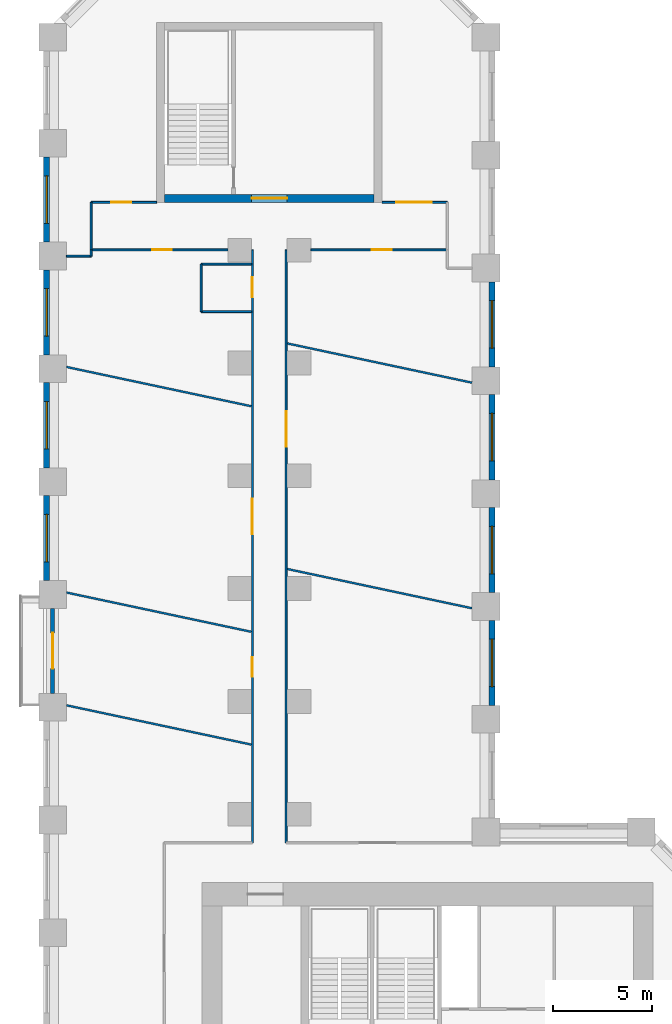
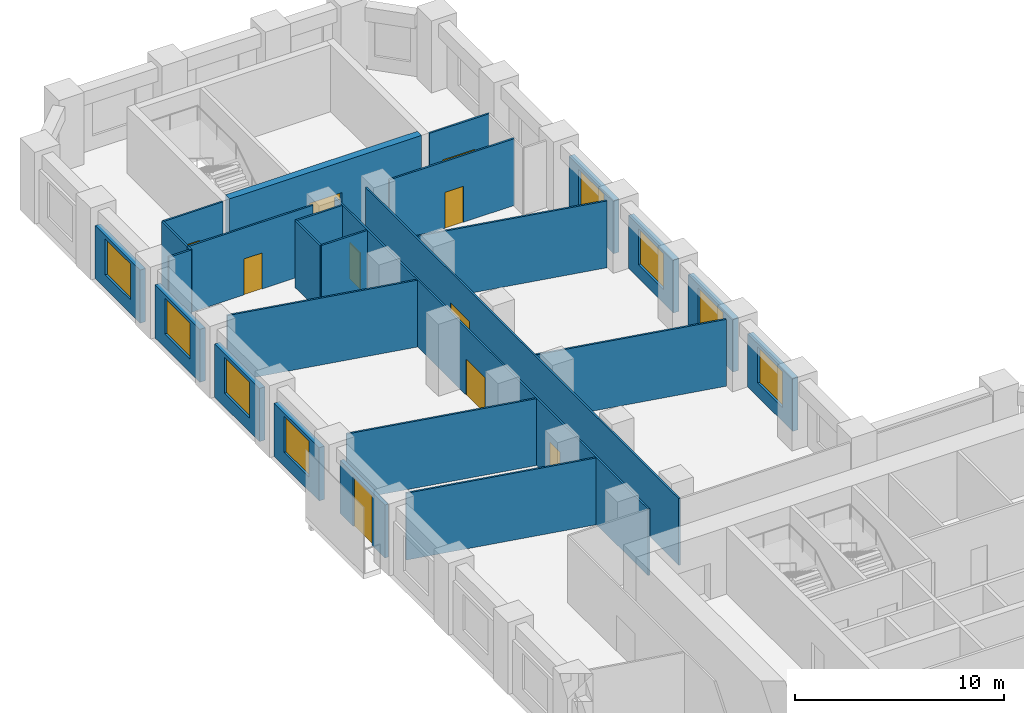
# One storey, part 8 of 11: 27 walls, 10 doors, 8 windows, 18 openings.
"""IFC4 building model written with IfcOpenShell, lengths in metres."""

from ifc_helpers import new_model, si_unit, direction, frame, frame_2d, origin, place, context, subcontext, project, spatial, rectangle, extrude, material, layer, layer_set, type_object, element, fill, save


model = new_model("IFC4")

# Units and contexts
model_context = context("Model", 3, precision=1e-05, world=origin(), true_north=direction((0.0, 1.0)))
body_context = subcontext(model_context, "Body", "Model", "MODEL_VIEW")
ifc_project = project(units=[si_unit("LENGTHUNIT", "METRE"), si_unit("AREAUNIT", "SQUARE_METRE"), si_unit("VOLUMEUNIT", "CUBIC_METRE"), si_unit("PLANEANGLEUNIT", "RADIAN"), si_unit("MASSUNIT", "GRAM", prefix="KILO")], contexts=[model_context])

# Site, building, storey
site_placement = place(None, origin())
site = spatial("IfcSite", under=ifc_project, at=site_placement, CompositionType="ELEMENT")
building_placement = place(site_placement, origin())
building = spatial("IfcBuilding", under=site, at=building_placement, Name="Meshkara Civic Tower", CompositionType="ELEMENT")
storey_placement = place(building_placement, frame((0.0, 0.0, 41.39990234375)))
storey = spatial("IfcBuildingStorey", under=building, at=storey_placement, Name="L08", CompositionType="ELEMENT", Elevation=41.39990234375)

# Wall, opening, door
ifc_material_1 = material(Name="Corridor wall 100")
ifc_layer_1 = layer(ifc_material_1, 0.10009765625)
ifc_layer_set_1 = layer_set([ifc_layer_1], Name="Corridor wall 100")
wall_type_1 = type_object("IfcWallType", Name="Corridor wall 100", PredefinedType="PARTITIONING", material=ifc_layer_set_1)
wall_1_placement = place(storey_placement, frame((2.39990234375, 68.8701171875, 0.0), z_axis=(0.0, 0.0, 1.0), x_axis=(1.0, 0.0, 0.0)))
wall_1 = element("IfcWall", 1, at=wall_1_placement, inside=storey, type_object=wall_type_1, Name="L08-W001", PredefinedType="PARTITIONING", context=body_context, shape_type="SweptSolid", body=[
    extrude(rectangle(XDim=6.900146484375, YDim=0.10009765625, at=frame_2d((3.4501953125, 0.0))), origin(), (0.0, 0.0, 1.0), 3.900146484375),
])
opening_1_placement = place(wall_1_placement, frame((3.080078125, 0.0, 0.0)))
opening_1 = element("IfcOpeningElement", 2, at=opening_1_placement, cuts=wall_1, Name="Opening L08-D024", PredefinedType="OPENING", context=body_context, shape_type="SweptSolid", body=[
    extrude(rectangle(XDim=1.0, YDim=2.10009765625, at=frame_2d((0.5, 1.050048828125))), frame((0.0, 0.06005859375, 0.0), z_axis=(0.0, -1.0, 0.0), x_axis=(1.0, 0.0, 0.0)), (0.0, 0.0, 1.0), 0.1201171875),
])
ifc_material_2 = material(Name="Door 1000 x 2100")
door_type_1 = type_object("IfcDoorType", Name="Door 1000 x 2100", OperationType="SINGLE_SWING_LEFT", PredefinedType="DOOR", material=ifc_material_2)
door_1_placement = place(opening_1_placement, origin())
door_1 = element("IfcDoor", 3, at=door_1_placement, inside=storey, type_object=door_type_1, Name="L08-D024", OperationType="SINGLE_SWING_LEFT", OverallHeight=2.10009765625, OverallWidth=1.0, PredefinedType="DOOR", context=body_context, shape_type="SweptSolid", body=[
    extrude(rectangle(XDim=1.0, YDim=2.10009765625, at=frame_2d((0.5, 1.050048828125))), frame((0.0, 0.02490234375, 0.0), z_axis=(0.0, -1.0, 0.0), x_axis=(1.0, 0.0, 0.0)), (0.0, 0.0, 1.0), 0.050048828125),
])
fill(opening_1, door_1)

# Wall
wall_2_placement = place(storey_placement, frame((2.39990234375, 71.27001953125, 0.0), z_axis=(0.0, 0.0, 1.0), x_axis=(0.0, -1.0, 0.0)))
element("IfcWall", 4, at=wall_2_placement, inside=storey, type_object=wall_type_1, Name="L08-W002", PredefinedType="PARTITIONING", context=body_context, shape_type="SweptSolid", body=[
    extrude(rectangle(XDim=2.39990234375, YDim=0.10009765625, at=frame_2d((1.199951171875, 0.0))), origin(), (0.0, 0.0, 1.0), 3.900146484375),
])

# Wall, opening, door
wall_3_placement = place(storey_placement, frame((5.699951171875, 71.27001953125, 0.0), z_axis=(0.0, 0.0, 1.0), x_axis=(-1.0, 0.0, 0.0)))
wall_3 = element("IfcWall", 5, at=wall_3_placement, inside=storey, type_object=wall_type_1, Name="L08-W003", PredefinedType="PARTITIONING", context=body_context, shape_type="SweptSolid", body=[
    extrude(rectangle(XDim=3.300048828125, YDim=0.10009765625, at=frame_2d((1.64990234375, 0.0))), origin(), (0.0, 0.0, 1.0), 3.900146484375),
])
opening_2_placement = place(wall_3_placement, frame((1.280029296875, 0.0, 0.0)))
opening_2 = element("IfcOpeningElement", 6, at=opening_2_placement, cuts=wall_3, Name="Opening L08-D023", PredefinedType="OPENING", context=body_context, shape_type="SweptSolid", body=[
    extrude(rectangle(XDim=1.0, YDim=2.10009765625, at=frame_2d((0.5, 1.050048828125))), frame((0.0, 0.06005859375, 0.0), z_axis=(0.0, -1.0, 0.0), x_axis=(1.0, 0.0, 0.0)), (0.0, 0.0, 1.0), 0.1201171875),
])
door_2_placement = place(opening_2_placement, origin())
door_2 = element("IfcDoor", 7, at=door_2_placement, inside=storey, type_object=door_type_1, Name="L08-D023", OperationType="SINGLE_SWING_LEFT", OverallHeight=2.10009765625, OverallWidth=1.0, PredefinedType="DOOR", context=body_context, shape_type="SweptSolid", body=[
    extrude(rectangle(XDim=1.0, YDim=2.10009765625, at=frame_2d((0.5, 1.050048828125))), frame((0.0, 0.02490234375, 0.0), z_axis=(0.0, -1.0, 0.0), x_axis=(1.0, 0.0, 0.0)), (0.0, 0.0, 1.0), 0.050048828125),
])
fill(opening_2, door_2)

# Wall, openings, doors
wall_4_placement = place(storey_placement, frame((10.550048828125, 68.8701171875, 0.0), z_axis=(0.0, 0.0, 1.0), x_axis=(0.0, -1.0, 0.0)))
wall_4 = element("IfcWall", 8, at=wall_4_placement, inside=storey, type_object=wall_type_1, Name="L08-W012", PredefinedType="PARTITIONING", context=body_context, shape_type="SweptSolid", body=[
    extrude(rectangle(XDim=29.97021484375, YDim=0.10009765625, at=frame_2d((14.985107421875, 0.0))), origin(), (0.0, 0.0, 1.0), 3.900146484375),
])
opening_3_placement = place(wall_4_placement, frame((20.583984375, 0.0, 0.0)))
opening_3 = element("IfcOpeningElement", 9, at=opening_3_placement, cuts=wall_4, Name="Opening L08-D020", PredefinedType="OPENING", context=body_context, shape_type="SweptSolid", body=[
    extrude(rectangle(XDim=1.0, YDim=2.10009765625, at=frame_2d((0.5, 1.050048828125))), frame((0.0, 0.06005859375, 0.0), z_axis=(0.0, -1.0, 0.0), x_axis=(1.0, 0.0, 0.0)), (0.0, 0.0, 1.0), 0.1201171875),
])
opening_4_placement = place(wall_4_placement, frame((12.583984375, 0.0, 0.0)))
opening_4 = element("IfcOpeningElement", 10, at=opening_4_placement, cuts=wall_4, Name="Opening L08-D021", PredefinedType="OPENING", context=body_context, shape_type="SweptSolid", body=[
    extrude(rectangle(XDim=1.800048828125, YDim=2.10009765625, at=frame_2d((0.89990234375, 1.050048828125))), frame((0.0, 0.06005859375, 0.0), z_axis=(0.0, -1.0, 0.0), x_axis=(1.0, 0.0, 0.0)), (0.0, 0.0, 1.0), 0.1201171875),
])
opening_5_placement = place(wall_4_placement, frame((1.39697265625, 0.0, 0.0)))
opening_5 = element("IfcOpeningElement", 11, at=opening_5_placement, cuts=wall_4, Name="Opening L08-D025", PredefinedType="OPENING", context=body_context, shape_type="SweptSolid", body=[
    extrude(rectangle(XDim=1.0, YDim=2.10009765625, at=frame_2d((0.5, 1.050048828125))), frame((0.0, 0.06005859375, 0.0), z_axis=(0.0, -1.0, 0.0), x_axis=(1.0, 0.0, 0.0)), (0.0, 0.0, 1.0), 0.1201171875),
])
door_3_placement = place(opening_3_placement, origin())
door_3 = element("IfcDoor", 12, at=door_3_placement, inside=storey, type_object=door_type_1, Name="L08-D020", OperationType="SINGLE_SWING_RIGHT", OverallHeight=2.10009765625, OverallWidth=1.0, PredefinedType="DOOR", context=body_context, shape_type="SweptSolid", body=[
    extrude(rectangle(XDim=1.0, YDim=2.10009765625, at=frame_2d((0.5, 1.050048828125))), frame((0.0, 0.02490234375, 0.0), z_axis=(0.0, -1.0, 0.0), x_axis=(1.0, 0.0, 0.0)), (0.0, 0.0, 1.0), 0.050048828125),
])
fill(opening_3, door_3)
door_4_placement = place(opening_5_placement, origin())
door_4 = element("IfcDoor", 13, at=door_4_placement, inside=storey, type_object=door_type_1, Name="L08-D025", OperationType="SINGLE_SWING_RIGHT", OverallHeight=2.10009765625, OverallWidth=1.0, PredefinedType="DOOR", context=body_context, shape_type="SweptSolid", body=[
    extrude(rectangle(XDim=1.0, YDim=2.10009765625, at=frame_2d((0.5, 1.050048828125))), frame((0.0, 0.02490234375, 0.0), z_axis=(0.0, -1.0, 0.0), x_axis=(1.0, 0.0, 0.0)), (0.0, 0.0, 1.0), 0.050048828125),
])
fill(opening_5, door_4)
ifc_material_3 = material(Name="Door pair 1800 x 2100")
door_type_2 = type_object("IfcDoorType", Name="Door pair 1800 x 2100", OperationType="SINGLE_SWING_LEFT", PredefinedType="DOOR", material=ifc_material_3)
door_5_placement = place(opening_4_placement, origin())
door_5 = element("IfcDoor", 14, at=door_5_placement, inside=storey, type_object=door_type_2, Name="L08-D021", OperationType="DOUBLE_DOOR_SINGLE_SWING", OverallHeight=2.10009765625, OverallWidth=1.800048828125, PredefinedType="DOOR", context=body_context, shape_type="SweptSolid", body=[
    extrude(rectangle(XDim=1.800048828125, YDim=2.10009765625, at=frame_2d((0.89990234375, 1.050048828125))), frame((0.0, 0.02490234375, 0.0), z_axis=(0.0, -1.0, 0.0), x_axis=(1.0, 0.0, 0.0)), (0.0, 0.0, 1.0), 0.050048828125),
])
fill(opening_4, door_5)

# Wall, opening, door
wall_5_placement = place(storey_placement, frame((12.25, 38.89990234375, 0.0), z_axis=(0.0, 0.0, 1.0), x_axis=(0.0, 1.0, 0.0)))
wall_5 = element("IfcWall", 15, at=wall_5_placement, inside=storey, type_object=wall_type_1, Name="L08-W013", PredefinedType="PARTITIONING", context=body_context, shape_type="SweptSolid", body=[
    extrude(rectangle(XDim=29.97021484375, YDim=0.10009765625, at=frame_2d((14.985107421875, 0.0))), origin(), (0.0, 0.0, 1.0), 3.900146484375),
])
opening_6_placement = place(wall_5_placement, frame((20.02001953125, 0.0, 0.0)))
opening_6 = element("IfcOpeningElement", 16, at=opening_6_placement, cuts=wall_5, Name="Opening L08-D022", PredefinedType="OPENING", context=body_context, shape_type="SweptSolid", body=[
    extrude(rectangle(XDim=1.800048828125, YDim=2.10009765625, at=frame_2d((0.89990234375, 1.050048828125))), frame((0.0, 0.06005859375, 0.0), z_axis=(0.0, -1.0, 0.0), x_axis=(1.0, 0.0, 0.0)), (0.0, 0.0, 1.0), 0.1201171875),
])
door_6_placement = place(opening_6_placement, origin())
door_6 = element("IfcDoor", 17, at=door_6_placement, inside=storey, type_object=door_type_2, Name="L08-D022", OperationType="DOUBLE_DOOR_SINGLE_SWING", OverallHeight=2.10009765625, OverallWidth=1.800048828125, PredefinedType="DOOR", context=body_context, shape_type="SweptSolid", body=[
    extrude(rectangle(XDim=1.800048828125, YDim=2.10009765625, at=frame_2d((0.89990234375, 1.050048828125))), frame((0.0, 0.02490234375, 0.0), z_axis=(0.0, -1.0, 0.0), x_axis=(1.0, 0.0, 0.0)), (0.0, 0.0, 1.0), 0.050048828125),
])
fill(opening_6, door_6)

wall_6_placement = place(storey_placement, frame((13.5, 68.8701171875, 0.0), z_axis=(0.0, 0.0, 1.0), x_axis=(1.0, 0.0, 0.0)))
wall_6 = element("IfcWall", 18, at=wall_6_placement, inside=storey, type_object=wall_type_1, Name="L08-W015", PredefinedType="PARTITIONING", context=body_context, shape_type="SweptSolid", body=[
    extrude(rectangle(XDim=6.89990234375, YDim=0.10009765625, at=frame_2d((3.449951171875, 0.0))), origin(), (0.0, 0.0, 1.0), 3.900146484375),
])
opening_7_placement = place(wall_6_placement, frame((3.080078125, 0.0, 0.0)))
opening_7 = element("IfcOpeningElement", 19, at=opening_7_placement, cuts=wall_6, Name="Opening L08-D026", PredefinedType="OPENING", context=body_context, shape_type="SweptSolid", body=[
    extrude(rectangle(XDim=1.0, YDim=2.10009765625, at=frame_2d((0.5, 1.050048828125))), frame((0.0, 0.06005859375, 0.0), z_axis=(0.0, -1.0, 0.0), x_axis=(1.0, 0.0, 0.0)), (0.0, 0.0, 1.0), 0.1201171875),
])
door_7_placement = place(opening_7_placement, origin())
door_7 = element("IfcDoor", 20, at=door_7_placement, inside=storey, type_object=door_type_1, Name="L08-D026", OperationType="SINGLE_SWING_LEFT", OverallHeight=2.10009765625, OverallWidth=1.0, PredefinedType="DOOR", context=body_context, shape_type="SweptSolid", body=[
    extrude(rectangle(XDim=1.0, YDim=2.10009765625, at=frame_2d((0.5, 1.050048828125))), frame((0.0, 0.02490234375, 0.0), z_axis=(0.0, -1.0, 0.0), x_axis=(1.0, 0.0, 0.0)), (0.0, 0.0, 1.0), 0.050048828125),
])
fill(opening_7, door_7)

wall_7_placement = place(storey_placement, frame((20.39990234375, 71.27001953125, 0.0), z_axis=(0.0, 0.0, 1.0), x_axis=(-1.0, 0.0, 0.0)))
wall_7 = element("IfcWall", 21, at=wall_7_placement, inside=storey, type_object=wall_type_1, Name="L08-W017", PredefinedType="PARTITIONING", context=body_context, shape_type="SweptSolid", body=[
    extrude(rectangle(XDim=3.2998046875, YDim=0.10009765625, at=frame_2d((1.64990234375, 0.0))), origin(), (0.0, 0.0, 1.0), 3.900146484375),
])
opening_8_placement = place(wall_7_placement, frame((0.780029296875, 0.0, 0.0)))
opening_8 = element("IfcOpeningElement", 22, at=opening_8_placement, cuts=wall_7, Name="Opening L08-D027", PredefinedType="OPENING", context=body_context, shape_type="SweptSolid", body=[
    extrude(rectangle(XDim=1.800048828125, YDim=2.10009765625, at=frame_2d((0.89990234375, 1.050048828125))), frame((0.0, 0.06005859375, 0.0), z_axis=(0.0, -1.0, 0.0), x_axis=(1.0, 0.0, 0.0)), (0.0, 0.0, 1.0), 0.1201171875),
])
door_8_placement = place(opening_8_placement, origin())
door_8 = element("IfcDoor", 23, at=door_8_placement, inside=storey, type_object=door_type_2, Name="L08-D027", OperationType="DOUBLE_DOOR_SINGLE_SWING", OverallHeight=2.10009765625, OverallWidth=1.800048828125, PredefinedType="DOOR", context=body_context, shape_type="SweptSolid", body=[
    extrude(rectangle(XDim=1.800048828125, YDim=2.10009765625, at=frame_2d((0.89990234375, 1.050048828125))), frame((0.0, 0.02490234375, 0.0), z_axis=(0.0, -1.0, 0.0), x_axis=(1.0, 0.0, 0.0)), (0.0, 0.0, 1.0), 0.050048828125),
])
fill(opening_8, door_8)

# Wall, opening, window
ifc_material_4 = material(Name="Insulated infill panel with bronze anodised aluminium cladding", Category="aluminium")
ifc_layer_2 = layer(ifc_material_4, 0.300048828125)
ifc_layer_set_2 = layer_set([ifc_layer_2], Name="EXTERNAL INFILL WALL 300")
wall_type_2 = type_object("IfcWallType", Name="EXTERNAL INFILL WALL 300", PredefinedType="SOLIDWALL", material=ifc_layer_set_2)
wall_8_placement = place(storey_placement, frame((22.64990234375, 45.85009765625, 0.0), z_axis=(0.0, 0.0, 1.0), x_axis=(0.0, 1.0, 0.0)))
wall_8 = element("IfcWall", 24, at=wall_8_placement, inside=storey, type_object=wall_type_2, Name="External wall", PredefinedType="SOLIDWALL", context=body_context, shape_type="SweptSolid", body=[
    extrude(rectangle(XDim=4.2998046875, YDim=0.300048828125, at=frame_2d((2.14990234375, 0.0))), origin(), (0.0, 0.0, 1.0), 3.10009765625),
])
opening_9_placement = place(wall_8_placement, frame((0.949951171875, 0.0, 0.800048828125)))
opening_9 = element("IfcOpeningElement", 25, at=opening_9_placement, cuts=wall_8, Name="Opening W7", PredefinedType="OPENING", context=body_context, shape_type="SweptSolid", body=[
    extrude(rectangle(XDim=2.39990234375, YDim=2.10009765625, at=frame_2d((1.199951171875, 1.050048828125))), frame((0.0, 0.159912109375, 0.0), z_axis=(0.0, -1.0, 0.0), x_axis=(1.0, 0.0, 0.0)), (0.0, 0.0, 1.0), 0.320068359375),
])
ifc_material_5 = material(Name="Tinted double glazing", Category="glass")
window_type = type_object("IfcWindowType", Name="WINDOW 2400x2100", PartitioningType="DOUBLE_PANEL_VERTICAL", PredefinedType="WINDOW", material=ifc_material_5)
window_1_placement = place(opening_9_placement, origin())
window_1 = element("IfcWindow", 26, at=window_1_placement, inside=storey, type_object=window_type, Name="Window", OverallHeight=2.10009765625, OverallWidth=2.39990234375, PartitioningType="DOUBLE_PANEL_VERTICAL", PredefinedType="WINDOW", context=body_context, shape_type="SweptSolid", body=[
    extrude(rectangle(XDim=2.39990234375, YDim=2.10009765625, at=frame_2d((1.199951171875, 1.050048828125))), frame((0.0, 0.030029296875, 0.0), z_axis=(0.0, -1.0, 0.0), x_axis=(1.0, 0.0, 0.0)), (0.0, 0.0, 1.0), 0.06005859375),
])
fill(opening_9, window_1)

wall_9_placement = place(storey_placement, frame((22.64990234375, 51.550048828125, 0.0), z_axis=(0.0, 0.0, 1.0), x_axis=(0.0, 1.0, 0.0)))
wall_9 = element("IfcWall", 27, at=wall_9_placement, inside=storey, type_object=wall_type_2, Name="External wall", PredefinedType="SOLIDWALL", context=body_context, shape_type="SweptSolid", body=[
    extrude(rectangle(XDim=4.300048828125, YDim=0.300048828125, at=frame_2d((2.14990234375, 0.0))), origin(), (0.0, 0.0, 1.0), 3.10009765625),
])
opening_10_placement = place(wall_9_placement, frame((0.949951171875, 0.0, 0.800048828125)))
opening_10 = element("IfcOpeningElement", 28, at=opening_10_placement, cuts=wall_9, Name="Opening W7", PredefinedType="OPENING", context=body_context, shape_type="SweptSolid", body=[
    extrude(rectangle(XDim=2.39990234375, YDim=2.10009765625, at=frame_2d((1.199951171875, 1.050048828125))), frame((0.0, 0.159912109375, 0.0), z_axis=(0.0, -1.0, 0.0), x_axis=(1.0, 0.0, 0.0)), (0.0, 0.0, 1.0), 0.320068359375),
])
window_2_placement = place(opening_10_placement, origin())
window_2 = element("IfcWindow", 29, at=window_2_placement, inside=storey, type_object=window_type, Name="Window", OverallHeight=2.10009765625, OverallWidth=2.39990234375, PartitioningType="DOUBLE_PANEL_VERTICAL", PredefinedType="WINDOW", context=body_context, shape_type="SweptSolid", body=[
    extrude(rectangle(XDim=2.39990234375, YDim=2.10009765625, at=frame_2d((1.199951171875, 1.050048828125))), frame((0.0, 0.030029296875, 0.0), z_axis=(0.0, -1.0, 0.0), x_axis=(1.0, 0.0, 0.0)), (0.0, 0.0, 1.0), 0.06005859375),
])
fill(opening_10, window_2)

wall_10_placement = place(storey_placement, frame((22.64990234375, 57.25, 0.0), z_axis=(0.0, 0.0, 1.0), x_axis=(0.0, 1.0, 0.0)))
wall_10 = element("IfcWall", 30, at=wall_10_placement, inside=storey, type_object=wall_type_2, Name="External wall", PredefinedType="SOLIDWALL", context=body_context, shape_type="SweptSolid", body=[
    extrude(rectangle(XDim=4.300048828125, YDim=0.300048828125, at=frame_2d((2.14990234375, 0.0))), origin(), (0.0, 0.0, 1.0), 3.10009765625),
])
opening_11_placement = place(wall_10_placement, frame((0.949951171875, 0.0, 0.800048828125)))
opening_11 = element("IfcOpeningElement", 31, at=opening_11_placement, cuts=wall_10, Name="Opening W7", PredefinedType="OPENING", context=body_context, shape_type="SweptSolid", body=[
    extrude(rectangle(XDim=2.39990234375, YDim=2.10009765625, at=frame_2d((1.199951171875, 1.050048828125))), frame((0.0, 0.159912109375, 0.0), z_axis=(0.0, -1.0, 0.0), x_axis=(1.0, 0.0, 0.0)), (0.0, 0.0, 1.0), 0.320068359375),
])
window_3_placement = place(opening_11_placement, origin())
window_3 = element("IfcWindow", 32, at=window_3_placement, inside=storey, type_object=window_type, Name="Window", OverallHeight=2.10009765625, OverallWidth=2.39990234375, PartitioningType="DOUBLE_PANEL_VERTICAL", PredefinedType="WINDOW", context=body_context, shape_type="SweptSolid", body=[
    extrude(rectangle(XDim=2.39990234375, YDim=2.10009765625, at=frame_2d((1.199951171875, 1.050048828125))), frame((0.0, 0.030029296875, 0.0), z_axis=(0.0, -1.0, 0.0), x_axis=(1.0, 0.0, 0.0)), (0.0, 0.0, 1.0), 0.06005859375),
])
fill(opening_11, window_3)

wall_11_placement = place(storey_placement, frame((22.64990234375, 62.949951171875, 0.0), z_axis=(0.0, 0.0, 1.0), x_axis=(0.0, 1.0, 0.0)))
wall_11 = element("IfcWall", 33, at=wall_11_placement, inside=storey, type_object=wall_type_2, Name="External wall", PredefinedType="SOLIDWALL", context=body_context, shape_type="SweptSolid", body=[
    extrude(rectangle(XDim=4.300048828125, YDim=0.300048828125, at=frame_2d((2.14990234375, 0.0))), origin(), (0.0, 0.0, 1.0), 3.10009765625),
])
opening_12_placement = place(wall_11_placement, frame((0.949951171875, 0.0, 0.800048828125)))
opening_12 = element("IfcOpeningElement", 34, at=opening_12_placement, cuts=wall_11, Name="Opening W7", PredefinedType="OPENING", context=body_context, shape_type="SweptSolid", body=[
    extrude(rectangle(XDim=2.39990234375, YDim=2.10009765625, at=frame_2d((1.199951171875, 1.050048828125))), frame((0.0, 0.159912109375, 0.0), z_axis=(0.0, -1.0, 0.0), x_axis=(1.0, 0.0, 0.0)), (0.0, 0.0, 1.0), 0.320068359375),
])
window_4_placement = place(opening_12_placement, origin())
window_4 = element("IfcWindow", 35, at=window_4_placement, inside=storey, type_object=window_type, Name="Window", OverallHeight=2.10009765625, OverallWidth=2.39990234375, PartitioningType="DOUBLE_PANEL_VERTICAL", PredefinedType="WINDOW", context=body_context, shape_type="SweptSolid", body=[
    extrude(rectangle(XDim=2.39990234375, YDim=2.10009765625, at=frame_2d((1.199951171875, 1.050048828125))), frame((0.0, 0.030029296875, 0.0), z_axis=(0.0, -1.0, 0.0), x_axis=(1.0, 0.0, 0.0)), (0.0, 0.0, 1.0), 0.06005859375),
])
fill(opening_12, window_4)

wall_12_placement = place(storey_placement, frame((0.14990234375, 73.554931640625, 0.0), z_axis=(0.0, 0.0, 1.0), x_axis=(0.0, -1.0, 0.0)))
wall_12 = element("IfcWall", 36, at=wall_12_placement, inside=storey, type_object=wall_type_2, Name="External wall", PredefinedType="SOLIDWALL", context=body_context, shape_type="SweptSolid", body=[
    extrude(rectangle(XDim=4.300048828125, YDim=0.300048828125, at=frame_2d((2.14990234375, 0.0))), origin(), (0.0, 0.0, 1.0), 3.10009765625),
])
opening_13_placement = place(wall_12_placement, frame((0.949951171875, 0.0, 0.800048828125)))
opening_13 = element("IfcOpeningElement", 37, at=opening_13_placement, cuts=wall_12, Name="Opening W7", PredefinedType="OPENING", context=body_context, shape_type="SweptSolid", body=[
    extrude(rectangle(XDim=2.39990234375, YDim=2.10009765625, at=frame_2d((1.199951171875, 1.050048828125))), frame((0.0, 0.159912109375, 0.0), z_axis=(0.0, -1.0, 0.0), x_axis=(1.0, 0.0, 0.0)), (0.0, 0.0, 1.0), 0.320068359375),
])
window_5_placement = place(opening_13_placement, origin())
window_5 = element("IfcWindow", 38, at=window_5_placement, inside=storey, type_object=window_type, Name="Window", OverallHeight=2.10009765625, OverallWidth=2.39990234375, PartitioningType="DOUBLE_PANEL_VERTICAL", PredefinedType="WINDOW", context=body_context, shape_type="SweptSolid", body=[
    extrude(rectangle(XDim=2.39990234375, YDim=2.10009765625, at=frame_2d((1.199951171875, 1.050048828125))), frame((0.0, 0.030029296875, 0.0), z_axis=(0.0, -1.0, 0.0), x_axis=(1.0, 0.0, 0.0)), (0.0, 0.0, 1.0), 0.06005859375),
])
fill(opening_13, window_5)

wall_13_placement = place(storey_placement, frame((0.14990234375, 67.85498046875, 0.0), z_axis=(0.0, 0.0, 1.0), x_axis=(0.0, -1.0, 0.0)))
wall_13 = element("IfcWall", 39, at=wall_13_placement, inside=storey, type_object=wall_type_2, Name="External wall", PredefinedType="SOLIDWALL", context=body_context, shape_type="SweptSolid", body=[
    extrude(rectangle(XDim=4.300048828125, YDim=0.300048828125, at=frame_2d((2.14990234375, 0.0))), origin(), (0.0, 0.0, 1.0), 3.10009765625),
])
opening_14_placement = place(wall_13_placement, frame((0.949951171875, 0.0, 0.800048828125)))
opening_14 = element("IfcOpeningElement", 40, at=opening_14_placement, cuts=wall_13, Name="Opening W7", PredefinedType="OPENING", context=body_context, shape_type="SweptSolid", body=[
    extrude(rectangle(XDim=2.39990234375, YDim=2.10009765625, at=frame_2d((1.199951171875, 1.050048828125))), frame((0.0, 0.159912109375, 0.0), z_axis=(0.0, -1.0, 0.0), x_axis=(1.0, 0.0, 0.0)), (0.0, 0.0, 1.0), 0.320068359375),
])
window_6_placement = place(opening_14_placement, origin())
window_6 = element("IfcWindow", 41, at=window_6_placement, inside=storey, type_object=window_type, Name="Window", OverallHeight=2.10009765625, OverallWidth=2.39990234375, PartitioningType="DOUBLE_PANEL_VERTICAL", PredefinedType="WINDOW", context=body_context, shape_type="SweptSolid", body=[
    extrude(rectangle(XDim=2.39990234375, YDim=2.10009765625, at=frame_2d((1.199951171875, 1.050048828125))), frame((0.0, 0.030029296875, 0.0), z_axis=(0.0, -1.0, 0.0), x_axis=(1.0, 0.0, 0.0)), (0.0, 0.0, 1.0), 0.06005859375),
])
fill(opening_14, window_6)

wall_14_placement = place(storey_placement, frame((0.14990234375, 62.155029296875, 0.0), z_axis=(0.0, 0.0, 1.0), x_axis=(0.0, -1.0, 0.0)))
wall_14 = element("IfcWall", 42, at=wall_14_placement, inside=storey, type_object=wall_type_2, Name="External wall", PredefinedType="SOLIDWALL", context=body_context, shape_type="SweptSolid", body=[
    extrude(rectangle(XDim=4.300048828125, YDim=0.300048828125, at=frame_2d((2.14990234375, 0.0))), origin(), (0.0, 0.0, 1.0), 3.10009765625),
])
opening_15_placement = place(wall_14_placement, frame((0.949951171875, 0.0, 0.800048828125)))
opening_15 = element("IfcOpeningElement", 43, at=opening_15_placement, cuts=wall_14, Name="Opening W7", PredefinedType="OPENING", context=body_context, shape_type="SweptSolid", body=[
    extrude(rectangle(XDim=2.39990234375, YDim=2.10009765625, at=frame_2d((1.199951171875, 1.050048828125))), frame((0.0, 0.159912109375, 0.0), z_axis=(0.0, -1.0, 0.0), x_axis=(1.0, 0.0, 0.0)), (0.0, 0.0, 1.0), 0.320068359375),
])
window_7_placement = place(opening_15_placement, origin())
window_7 = element("IfcWindow", 44, at=window_7_placement, inside=storey, type_object=window_type, Name="Window", OverallHeight=2.10009765625, OverallWidth=2.39990234375, PartitioningType="DOUBLE_PANEL_VERTICAL", PredefinedType="WINDOW", context=body_context, shape_type="SweptSolid", body=[
    extrude(rectangle(XDim=2.39990234375, YDim=2.10009765625, at=frame_2d((1.199951171875, 1.050048828125))), frame((0.0, 0.030029296875, 0.0), z_axis=(0.0, -1.0, 0.0), x_axis=(1.0, 0.0, 0.0)), (0.0, 0.0, 1.0), 0.06005859375),
])
fill(opening_15, window_7)

wall_15_placement = place(storey_placement, frame((0.14990234375, 56.455078125, 0.0), z_axis=(0.0, 0.0, 1.0), x_axis=(0.0, -1.0, 0.0)))
wall_15 = element("IfcWall", 45, at=wall_15_placement, inside=storey, type_object=wall_type_2, Name="External wall", PredefinedType="SOLIDWALL", context=body_context, shape_type="SweptSolid", body=[
    extrude(rectangle(XDim=4.300048828125, YDim=0.300048828125, at=frame_2d((2.14990234375, 0.0))), origin(), (0.0, 0.0, 1.0), 3.10009765625),
])
opening_16_placement = place(wall_15_placement, frame((0.949951171875, 0.0, 0.800048828125)))
opening_16 = element("IfcOpeningElement", 46, at=opening_16_placement, cuts=wall_15, Name="Opening W7", PredefinedType="OPENING", context=body_context, shape_type="SweptSolid", body=[
    extrude(rectangle(XDim=2.39990234375, YDim=2.10009765625, at=frame_2d((1.199951171875, 1.050048828125))), frame((0.0, 0.159912109375, 0.0), z_axis=(0.0, -1.0, 0.0), x_axis=(1.0, 0.0, 0.0)), (0.0, 0.0, 1.0), 0.320068359375),
])
window_8_placement = place(opening_16_placement, origin())
window_8 = element("IfcWindow", 47, at=window_8_placement, inside=storey, type_object=window_type, Name="Window", OverallHeight=2.10009765625, OverallWidth=2.39990234375, PartitioningType="DOUBLE_PANEL_VERTICAL", PredefinedType="WINDOW", context=body_context, shape_type="SweptSolid", body=[
    extrude(rectangle(XDim=2.39990234375, YDim=2.10009765625, at=frame_2d((1.199951171875, 1.050048828125))), frame((0.0, 0.030029296875, 0.0), z_axis=(0.0, -1.0, 0.0), x_axis=(1.0, 0.0, 0.0)), (0.0, 0.0, 1.0), 0.06005859375),
])
fill(opening_16, window_8)

# Wall, opening, door
ifc_material_6 = material(Name="Concrete C80", Category="concrete")
ifc_layer_3 = layer(ifc_material_6, 0.39990234375)
ifc_layer_set_3 = layer_set([ifc_layer_3], Name="End core ring wall 400 C80")
wall_type_3 = type_object("IfcWallType", Name="End core ring wall 400 C80", PredefinedType="SHEAR", material=ifc_layer_set_3)
wall_16_placement = place(storey_placement, frame((6.10009765625, 71.469970703125, -0.2998046875), z_axis=(0.0, 0.0, 1.0), x_axis=(1.0, 0.0, 0.0)))
wall_16 = element("IfcWall", 48, at=wall_16_placement, inside=storey, type_object=wall_type_3, Name="L08-C028", PredefinedType="SHEAR", context=body_context, shape_type="SweptSolid", body=[
    extrude(rectangle(XDim=10.599853515625, YDim=0.39990234375, at=frame_2d((5.2998046875, 0.0))), origin(), (0.0, 0.0, 1.0), 4.199951171875),
])
opening_17_placement = place(wall_16_placement, frame((4.39990234375, 0.0, 0.300048828125)))
opening_17 = element("IfcOpeningElement", 49, at=opening_17_placement, cuts=wall_16, Name="Opening L08-K102", PredefinedType="OPENING", context=body_context, shape_type="SweptSolid", body=[
    extrude(rectangle(XDim=1.800048828125, YDim=2.10009765625, at=frame_2d((0.89990234375, 1.050048828125))), frame((0.0, 0.2099609375, 0.0), z_axis=(0.0, -1.0, 0.0), x_axis=(1.0, 0.0, 0.0)), (0.0, 0.0, 1.0), 0.419921875),
])
ifc_material_7 = material(Name="Fire-rated door leaf in steel frame", Category="steel")
door_type_3 = type_object("IfcDoorType", Name="Core double door 1800 EI 60", OperationType="DOUBLE_DOOR_SINGLE_SWING", PredefinedType="DOOR", material=ifc_material_7)
door_9_placement = place(opening_17_placement, origin())
door_9 = element("IfcDoor", 50, at=door_9_placement, inside=storey, type_object=door_type_3, Name="L08-K102", OperationType="DOUBLE_DOOR_SINGLE_SWING", OverallHeight=2.10009765625, OverallWidth=1.800048828125, PredefinedType="DOOR", context=body_context, shape_type="SweptSolid", body=[
    extrude(rectangle(XDim=1.800048828125, YDim=2.10009765625, at=frame_2d((0.89990234375, 1.050048828125))), frame((0.0, 0.02490234375, 0.0), z_axis=(0.0, -1.0, 0.0), x_axis=(1.0, 0.0, 0.0)), (0.0, 0.0, 1.0), 0.050048828125),
])
fill(opening_17, door_9)

ifc_material_8 = material(Name="Insulated infill panel with bronze anodised aluminium cladding", Category="aluminium")
ifc_layer_4 = layer(ifc_material_8, 0.199951171875)
ifc_layer_set_4 = layer_set([ifc_layer_4], Name="LOGGIA BACK WALL 200")
wall_type_4 = type_object("IfcWallType", Name="LOGGIA BACK WALL 200", PredefinedType="SOLIDWALL", material=ifc_layer_set_4)
wall_17_placement = place(storey_placement, frame((0.449951171875, 50.7548828125, 0.0), z_axis=(0.0, 0.0, 1.0), x_axis=(0.0, -1.0, 0.0)))
wall_17 = element("IfcWall", 51, at=wall_17_placement, inside=storey, type_object=wall_type_4, Name="Loggia wall", PredefinedType="SOLIDWALL", context=body_context, shape_type="SweptSolid", body=[
    extrude(rectangle(XDim=4.298828125, YDim=0.199951171875, at=frame_2d((2.1494140625, 0.0))), origin(), (0.0, 0.0, 1.0), 3.10009765625),
])
opening_18_placement = place(wall_17_placement, frame((1.2490234375, 0.0, 0.0)))
opening_18 = element("IfcOpeningElement", 52, at=opening_18_placement, cuts=wall_17, Name="Opening L08-L001", PredefinedType="OPENING", context=body_context, shape_type="SweptSolid", body=[
    extrude(rectangle(XDim=1.800048828125, YDim=2.89990234375, at=frame_2d((0.89990234375, 1.449951171875))), frame((0.0, 0.10986328125, 0.0), z_axis=(0.0, -1.0, 0.0), x_axis=(1.0, 0.0, 0.0)), (0.0, 0.0, 1.0), 0.219970703125),
])
ifc_material_9 = material(Name="Tinted double glazing", Category="glass")
door_type_4 = type_object("IfcDoorType", Name="LOGGIA DOOR 1800x2900", OperationType="DOUBLE_DOOR_SINGLE_SWING", PredefinedType="DOOR", material=ifc_material_9)
door_10_placement = place(opening_18_placement, origin())
door_10 = element("IfcDoor", 53, at=door_10_placement, inside=storey, type_object=door_type_4, Name="L08-L001", OperationType="DOUBLE_DOOR_SINGLE_SWING", OverallHeight=2.89990234375, OverallWidth=1.800048828125, PredefinedType="DOOR", context=body_context, shape_type="SweptSolid", body=[
    extrude(rectangle(XDim=1.800048828125, YDim=2.89990234375, at=frame_2d((0.89990234375, 1.449951171875))), frame((0.0, 0.02490234375, 0.0), z_axis=(0.0, -1.0, 0.0), x_axis=(1.0, 0.0, 0.0)), (0.0, 0.0, 1.0), 0.050048828125),
])
fill(opening_18, door_10)

# Walls
ifc_material_10 = material(Name="Partition 100")
ifc_layer_5 = layer(ifc_material_10, 0.10009765625)
ifc_layer_set_5 = layer_set([ifc_layer_5], Name="Partition 100")
wall_type_5 = type_object("IfcWallType", Name="Partition 100", PredefinedType="PARTITIONING", material=ifc_layer_set_5)
wall_18_placement = place(storey_placement, frame((2.39990234375, 68.554931640625, 0.0), z_axis=(0.0, 0.0, 1.0), x_axis=(-1.0, 0.0, 0.0)))
element("IfcWall", 54, at=wall_18_placement, inside=storey, type_object=wall_type_5, Name="L08-W031", PredefinedType="PARTITIONING", context=body_context, shape_type="SweptSolid", body=[
    extrude(rectangle(XDim=1.25, YDim=0.10009765625, at=frame_2d((0.625, 0.0))), origin(), (0.0, 0.0, 1.0), 3.900146484375),
])
wall_19_placement = place(storey_placement, frame((2.39990234375, 68.8740234375, 0.0), z_axis=(0.0, 0.0, 1.0), x_axis=(0.0, -1.0, 0.0)))
element("IfcWall", 55, at=wall_19_placement, inside=storey, type_object=wall_type_5, Name="L08-W032", PredefinedType="PARTITIONING", context=body_context, shape_type="SweptSolid", body=[
    extrude(rectangle(XDim=0.319091796875, YDim=0.10009765625, at=frame_2d((0.15966796875, 0.0))), origin(), (0.0, 0.0, 1.0), 3.900146484375),
])
wall_20_placement = place(storey_placement, frame((7.949951171875, 65.7529296875, 0.0), z_axis=(0.0, 0.0, 1.0), x_axis=(0.0, 1.0, 0.0)))
element("IfcWall", 56, at=wall_20_placement, inside=storey, type_object=wall_type_5, Name="L08-W035", PredefinedType="PARTITIONING", context=body_context, shape_type="SweptSolid", body=[
    extrude(rectangle(XDim=2.400146484375, YDim=0.10009765625, at=frame_2d((1.2001953125, 0.0))), origin(), (0.0, 0.0, 1.0), 3.900146484375),
])
wall_21_placement = place(storey_placement, frame((7.949951171875, 68.153076171875, 0.0), z_axis=(0.0, 0.0, 1.0), x_axis=(1.0, 0.0, 0.0)))
element("IfcWall", 57, at=wall_21_placement, inside=storey, type_object=wall_type_5, Name="L08-W036", PredefinedType="PARTITIONING", context=body_context, shape_type="SweptSolid", body=[
    extrude(rectangle(XDim=2.550048828125, YDim=0.10009765625, at=frame_2d((1.27490234375, 0.0))), origin(), (0.0, 0.0, 1.0), 3.900146484375),
])
for number, where, z_axis, x_axis, name in (
    (58, (10.489990234375, 43.865966796875, 0.0), (0.0, 0.0, 1.0), (-0.978151637494, 0.207892698446, 0.0), "L08-W038"),
    (59, (10.489990234375, 49.56591796875, 0.0), (0.0, 0.0, 1.0), (-0.978151637494, 0.207892698446, 0.0), "L08-W039"),
):
    element("IfcWall", number, at=place(storey_placement, frame(where, z_axis=z_axis, x_axis=x_axis)), inside=storey, type_object=wall_type_5, Name=name, PredefinedType="PARTITIONING", context=body_context, shape_type="SweptSolid", body=[
        extrude(rectangle(XDim=9.548828125, YDim=0.10009765625, at=frame_2d((4.7744140625, 0.0))), origin(), (0.0, 0.0, 1.0), 3.900146484375),
    ])
wall_22_placement = place(storey_placement, frame((10.489990234375, 60.966064453125, 0.0), z_axis=(0.0, 0.0, 1.0), x_axis=(-0.978156836466, 0.207868235368, 0.0)))
element("IfcWall", 60, at=wall_22_placement, inside=storey, type_object=wall_type_5, Name="L08-W040", PredefinedType="PARTITIONING", context=body_context, shape_type="SweptSolid", body=[
    extrude(rectangle(XDim=9.548583984375, YDim=0.10009765625, at=frame_2d((4.7744140625, 0.0))), origin(), (0.0, 0.0, 1.0), 3.900146484375),
])
wall_23_placement = place(storey_placement, frame((10.5, 65.7529296875, 0.0), z_axis=(0.0, 0.0, 1.0), x_axis=(-1.0, 0.0, 0.0)))
element("IfcWall", 61, at=wall_23_placement, inside=storey, type_object=wall_type_5, Name="L08-W041", PredefinedType="PARTITIONING", context=body_context, shape_type="SweptSolid", body=[
    extrude(rectangle(XDim=2.550048828125, YDim=0.10009765625, at=frame_2d((1.27490234375, 0.0))), origin(), (0.0, 0.0, 1.0), 3.900146484375),
])
wall_24_placement = place(storey_placement, frame((21.64990234375, 50.7548828125, 0.0), z_axis=(0.0, 0.0, 1.0), x_axis=(-0.978150532424, 0.207897897824, 0.0)))
element("IfcWall", 62, at=wall_24_placement, inside=storey, type_object=wall_type_5, Name="L08-W044", PredefinedType="PARTITIONING", context=body_context, shape_type="SweptSolid", body=[
    extrude(rectangle(XDim=9.548583984375, YDim=0.10009765625, at=frame_2d((4.7744140625, 0.0))), origin(), (0.0, 0.0, 1.0), 3.900146484375),
])
wall_25_placement = place(storey_placement, frame((21.64990234375, 62.155029296875, 0.0), z_axis=(0.0, 0.0, 1.0), x_axis=(-0.978155731649, 0.207873434188, 0.0)))
element("IfcWall", 63, at=wall_25_placement, inside=storey, type_object=wall_type_5, Name="L08-W045", PredefinedType="PARTITIONING", context=body_context, shape_type="SweptSolid", body=[
    extrude(rectangle(XDim=9.54833984375, YDim=0.10009765625, at=frame_2d((4.774169921875, 0.0))), origin(), (0.0, 0.0, 1.0), 3.900146484375),
])

save(model, "model.ifc")
